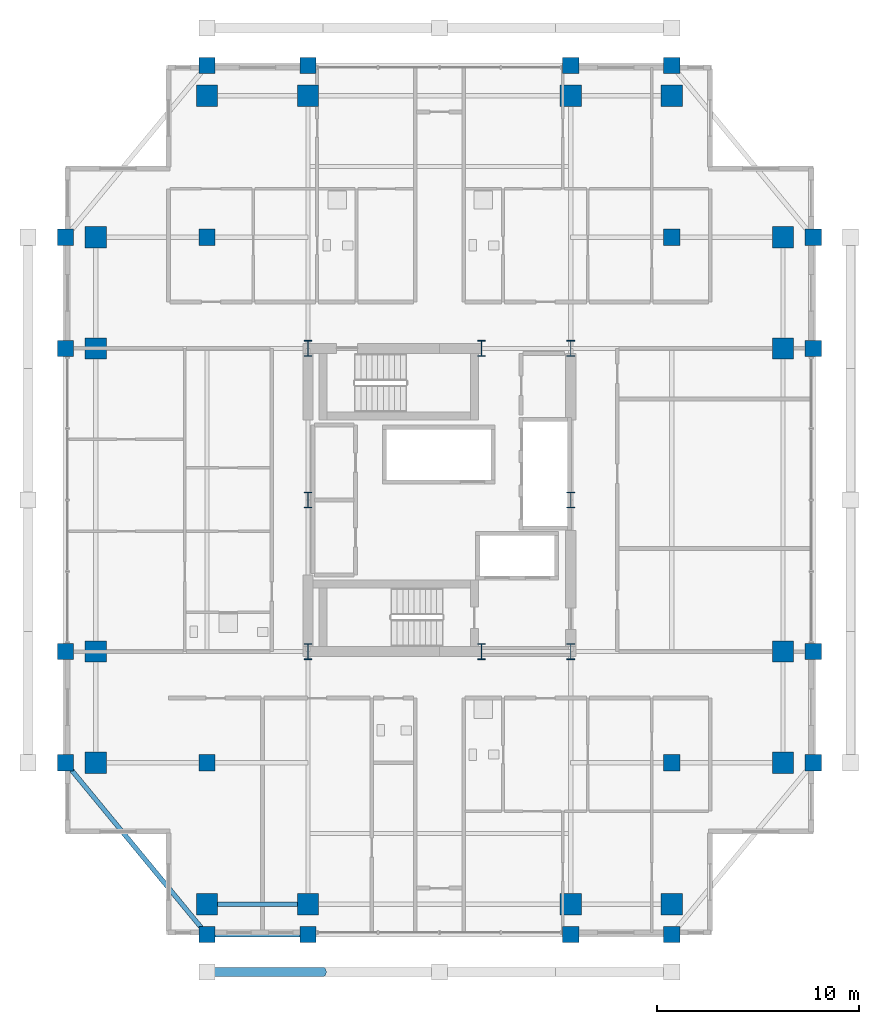
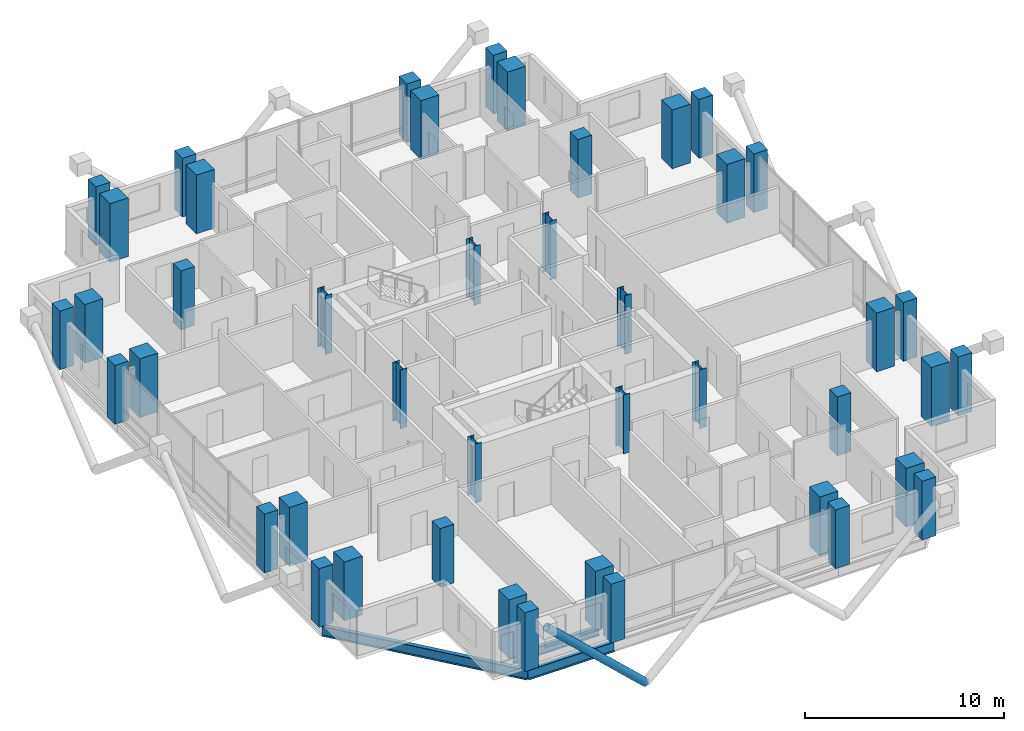
# One storey, part 1 of 24: 44 columns, 3 beams, 1 member.
"""IFC4 building model written with IfcOpenShell, lengths in metres."""

from ifc_helpers import new_model, si_unit, direction, frame, origin, origin_2d, place, context, subcontext, project, spatial, rectangle, hollow_circle, i_section, extrude, material, material_profile, profile_set, type_object, element, save


model = new_model("IFC4")

# Units and contexts
model_context = context("Model", 3, precision=1e-05, world=origin(), true_north=direction((0.0, 1.0)))
body_context = subcontext(model_context, "Body", "Model", "MODEL_VIEW")
ifc_project = project(units=[si_unit("LENGTHUNIT", "METRE"), si_unit("AREAUNIT", "SQUARE_METRE"), si_unit("VOLUMEUNIT", "CUBIC_METRE"), si_unit("PLANEANGLEUNIT", "RADIAN"), si_unit("MASSUNIT", "GRAM", prefix="KILO")], contexts=[model_context])

# Site, building, storey
site_placement = place(None, origin())
site = spatial("IfcSite", under=ifc_project, at=site_placement, CompositionType="ELEMENT")
building_placement = place(site_placement, origin())
building = spatial("IfcBuilding", under=site, at=building_placement, Name="Barlavira Tower and Art Museum", CompositionType="ELEMENT")
storey_placement = place(building_placement, frame((0.0, 0.0, 183.60009765625)))
storey = spatial("IfcBuildingStorey", under=building, at=storey_placement, Name="L47", CompositionType="ELEMENT", Elevation=183.60009765625)

# Columns
ifc_material_1 = material(Name="Steel S355", Category="steel")
ifc_material_profile_1 = material_profile(ifc_material_1, i_section(OverallWidth=0.382080078125, OverallDepth=0.785888671875, WebThickness=0.02001953125, FlangeThickness=0.032958984375, at=origin_2d()), Name="W760x314.0")
ifc_profile_set_1 = profile_set([ifc_material_profile_1], Name="Steel S355")
column_type_1 = type_object("IfcColumnType", Name="Core Composite Column W760x314 Steel S355", PredefinedType="COLUMN", material=ifc_profile_set_1)
for number, where, z_axis, x_axis, name in (
    (1, (-6.5, -7.5, 0.0), (0.0, 0.0, 1.0), (1.0, 0.0, 0.0), "L47 Column CC-L47-C1"),
    (2, (2.080078125, -7.5, 0.0), (0.0, 0.0, 1.0), (1.0, 0.0, 0.0), "L47 Column CC-L47-C2"),
    (3, (6.5, -7.5, 0.0), (0.0, 0.0, 1.0), (1.0, 0.0, 0.0), "L47 Column CC-L47-C3"),
    (4, (-6.5, 0.0, 0.0), (0.0, 0.0, 1.0), (1.0, 0.0, 0.0), "L47 Column CC-L47-C4"),
    (5, (6.5, 0.0, 0.0), (0.0, 0.0, 1.0), (1.0, 0.0, 0.0), "L47 Column CC-L47-C5"),
    (6, (-6.5, 7.5, 0.0), (0.0, 0.0, 1.0), (1.0, 0.0, 0.0), "L47 Column CC-L47-C6"),
    (7, (2.080078125, 7.5, 0.0), (0.0, 0.0, 1.0), (1.0, 0.0, 0.0), "L47 Column CC-L47-C7"),
    (8, (6.5, 7.5, 0.0), (0.0, 0.0, 1.0), (1.0, 0.0, 0.0), "L47 Column CC-L47-C8"),
):
    element("IfcColumn", number, at=place(storey_placement, frame(where, z_axis=z_axis, x_axis=x_axis)), inside=storey, type_object=column_type_1, Name=name, PredefinedType="COLUMN", context=body_context, shape_type="SweptSolid", body=[
        extrude(i_section(OverallWidth=0.382080078125, OverallDepth=0.785888671875, WebThickness=0.02001953125, FlangeThickness=0.032958984375, at=origin_2d()), origin(), (0.0, 0.0, 1.0), 3.599853515625),
    ])
ifc_material_2 = material(Name="Concrete C55", Category="concrete")
ifc_material_profile_2 = material_profile(ifc_material_2, rectangle(XDim=1.050048828125, YDim=1.050048828125, at=origin_2d()), Name="RC-COL 1050x1050")
ifc_profile_set_2 = profile_set([ifc_material_profile_2], Name="Concrete C55")
column_type_2 = type_object("IfcColumnType", Name="Perimeter Mega Column 1050x1050 Concrete C55", PredefinedType="USERDEFINED", material=ifc_profile_set_2)
for number, where, z_axis, x_axis, name in (
    (9, (-11.5, -20.0, 0.0), (0.0, 0.0, 1.0), (1.0, 0.0, 0.0), "L47 Column MC-L47-M01"),
    (10, (-6.5, -20.0, 0.0), (0.0, 0.0, 1.0), (1.0, 0.0, 0.0), "L47 Column MC-L47-M02"),
    (11, (6.5, -20.0, 0.0), (0.0, 0.0, 1.0), (1.0, 0.0, 0.0), "L47 Column MC-L47-M03"),
    (12, (11.5, -20.0, 0.0), (0.0, 0.0, 1.0), (1.0, 0.0, 0.0), "L47 Column MC-L47-M04"),
    (13, (17.0, -13.0, 0.0), (0.0, 0.0, 1.0), (1.0, 0.0, 0.0), "L47 Column MC-L47-M05"),
    (14, (17.0, -7.5, 0.0), (0.0, 0.0, 1.0), (1.0, 0.0, 0.0), "L47 Column MC-L47-M06"),
    (15, (17.0, 7.5, 0.0), (0.0, 0.0, 1.0), (1.0, 0.0, 0.0), "L47 Column MC-L47-M07"),
    (16, (17.0, 13.0, 0.0), (0.0, 0.0, 1.0), (1.0, 0.0, 0.0), "L47 Column MC-L47-M08"),
    (17, (11.5, 20.0, 0.0), (0.0, 0.0, 1.0), (1.0, 0.0, 0.0), "L47 Column MC-L47-M09"),
    (18, (6.5, 20.0, 0.0), (0.0, 0.0, 1.0), (1.0, 0.0, 0.0), "L47 Column MC-L47-M10"),
    (19, (-6.5, 20.0, 0.0), (0.0, 0.0, 1.0), (1.0, 0.0, 0.0), "L47 Column MC-L47-M11"),
    (20, (-11.5, 20.0, 0.0), (0.0, 0.0, 1.0), (1.0, 0.0, 0.0), "L47 Column MC-L47-M12"),
    (21, (-17.0, 13.0, 0.0), (0.0, 0.0, 1.0), (1.0, 0.0, 0.0), "L47 Column MC-L47-M13"),
    (22, (-17.0, 7.5, 0.0), (0.0, 0.0, 1.0), (1.0, 0.0, 0.0), "L47 Column MC-L47-M14"),
    (23, (-17.0, -7.5, 0.0), (0.0, 0.0, 1.0), (1.0, 0.0, 0.0), "L47 Column MC-L47-M15"),
    (24, (-17.0, -13.0, 0.0), (0.0, 0.0, 1.0), (1.0, 0.0, 0.0), "L47 Column MC-L47-M16"),
):
    element("IfcColumn", number, at=place(storey_placement, frame(where, z_axis=z_axis, x_axis=x_axis)), inside=storey, type_object=column_type_2, Name=name, ObjectType="MEGA COLUMN", PredefinedType="USERDEFINED", context=body_context, shape_type="SweptSolid", body=[
        extrude(rectangle(XDim=1.050048828125, YDim=1.050048828125, at=origin_2d()), origin(), (0.0, 0.0, 1.0), 3.599853515625),
    ])
ifc_material_3 = material(Name="Concrete C50", Category="concrete")
ifc_material_profile_3 = material_profile(ifc_material_3, rectangle(XDim=0.800048828125, YDim=0.800048828125, at=origin_2d()), Name="RC-COL 800x800")
ifc_profile_set_3 = profile_set([ifc_material_profile_3], Name="Concrete C50")
column_type_3 = type_object("IfcColumnType", Name="Podium Frame Column 800x800 Concrete C50", PredefinedType="COLUMN", material=ifc_profile_set_3)
for number, where, z_axis, x_axis, name in (
    (25, (-11.5, -13.0, 0.0), (0.0, 0.0, 1.0), (1.0, 0.0, 0.0), "L47 Column CI-L47-I1"),
    (26, (11.5, -13.0, 0.0), (0.0, 0.0, 1.0), (1.0, 0.0, 0.0), "L47 Column CI-L47-I2"),
    (27, (-11.5, 13.0, 0.0), (0.0, 0.0, 1.0), (1.0, 0.0, 0.0), "L47 Column CI-L47-I3"),
    (28, (11.5, 13.0, 0.0), (0.0, 0.0, 1.0), (1.0, 0.0, 0.0), "L47 Column CI-L47-I4"),
    (29, (-11.5, -21.5, 0.0), (0.0, 0.0, 1.0), (1.0, 0.0, 0.0), "L47 Column CZ3-L47-N01"),
    (30, (-6.5, -21.5, 0.0), (0.0, 0.0, 1.0), (1.0, 0.0, 0.0), "L47 Column CZ3-L47-N02"),
    (31, (6.5, -21.5, 0.0), (0.0, 0.0, 1.0), (1.0, 0.0, 0.0), "L47 Column CZ3-L47-N02B"),
    (32, (11.5, -21.5, 0.0), (0.0, 0.0, 1.0), (1.0, 0.0, 0.0), "L47 Column CZ3-L47-N03"),
    (33, (-18.5, -13.0, 0.0), (0.0, 0.0, 1.0), (1.0, 0.0, 0.0), "L47 Column CZ3-L47-N04"),
    (34, (-18.5, -7.5, 0.0), (0.0, 0.0, 1.0), (1.0, 0.0, 0.0), "L47 Column CZ3-L47-N05"),
    (35, (-18.5, 7.5, 0.0), (0.0, 0.0, 1.0), (1.0, 0.0, 0.0), "L47 Column CZ3-L47-N05B"),
    (36, (-18.5, 13.0, 0.0), (0.0, 0.0, 1.0), (1.0, 0.0, 0.0), "L47 Column CZ3-L47-N06"),
    (37, (-11.5, 21.5, 0.0), (0.0, 0.0, 1.0), (1.0, 0.0, 0.0), "L47 Column CZ3-L47-N07"),
    (38, (-6.5, 21.5, 0.0), (0.0, 0.0, 1.0), (1.0, 0.0, 0.0), "L47 Column CZ3-L47-N08"),
    (39, (6.5, 21.5, 0.0), (0.0, 0.0, 1.0), (1.0, 0.0, 0.0), "L47 Column CZ3-L47-N08B"),
    (40, (11.5, 21.5, 0.0), (0.0, 0.0, 1.0), (1.0, 0.0, 0.0), "L47 Column CZ3-L47-N09"),
    (41, (18.5, -13.0, 0.0), (0.0, 0.0, 1.0), (1.0, 0.0, 0.0), "L47 Column CZ3-L47-N10"),
    (42, (18.5, -7.5, 0.0), (0.0, 0.0, 1.0), (1.0, 0.0, 0.0), "L47 Column CZ3-L47-N11"),
    (43, (18.5, 7.5, 0.0), (0.0, 0.0, 1.0), (1.0, 0.0, 0.0), "L47 Column CZ3-L47-N11B"),
    (44, (18.5, 13.0, 0.0), (0.0, 0.0, 1.0), (1.0, 0.0, 0.0), "L47 Column CZ3-L47-N12"),
):
    element("IfcColumn", number, at=place(storey_placement, frame(where, z_axis=z_axis, x_axis=x_axis)), inside=storey, type_object=column_type_3, Name=name, PredefinedType="COLUMN", context=body_context, shape_type="SweptSolid", body=[
        extrude(rectangle(XDim=0.800048828125, YDim=0.800048828125, at=origin_2d()), origin(), (0.0, 0.0, 1.0), 3.599853515625),
    ])

# Member
ifc_material_profile_4 = material_profile(ifc_material_1, hollow_circle(Radius=0.228515625, WallThickness=0.02001953125, at=origin_2d()), Name="CHS 457.0x20.0")
ifc_profile_set_4 = profile_set([ifc_material_profile_4], Name="Steel S355")
member_type = type_object("IfcMemberType", Name="Pale-Metal Exoskeleton Diagrid Tube CHS 457x20 Steel S355", PredefinedType="BRACE", material=ifc_profile_set_4)
member_placement = place(storey_placement, frame((-5.75, -23.35009765625, -1.920166015625), z_axis=(-0.728934650808, 0.0, 0.684583285548), x_axis=(0.0, -1.0, 0.0)))
element("IfcMember", 45, at=member_placement, inside=storey, type_object=member_type, Name="L47 Exoskeleton Diagrid Tube S", PredefinedType="BRACE", context=body_context, shape_type="SweptSolid", body=[
    extrude(hollow_circle(Radius=0.228515625, WallThickness=0.02001953125, at=origin_2d()), origin(), (0.0, 0.0, 1.0), 7.88818359375),
])

# Beams
ifc_material_profile_5 = material_profile(ifc_material_1, i_section(OverallWidth=0.22998046875, OverallDepth=0.616943359375, WebThickness=0.01318359375, FlangeThickness=0.022216796875, at=origin_2d()), Name="W610x140.0")
ifc_profile_set_5 = profile_set([ifc_material_profile_5], Name="Steel S355")
beam_type_1 = type_object("IfcBeamType", Name="Upper Shaft Spandrel Edge Beam W610x140 Steel S355", PredefinedType="SPANDREL", material=ifc_profile_set_5)
beam_1_placement = place(storey_placement, frame((-11.5, -21.5, -0.528564453125), z_axis=(1.0, 0.0, 0.0), x_axis=(0.0, 1.0, 0.0)))
element("IfcBeam", 46, at=beam_1_placement, inside=storey, type_object=beam_type_1, Name="L47 Spandrel 1", PredefinedType="SPANDREL", context=body_context, shape_type="SweptSolid", body=[
    extrude(i_section(OverallWidth=0.22998046875, OverallDepth=0.616943359375, WebThickness=0.01318359375, FlangeThickness=0.022216796875, at=origin_2d()), origin(), (0.0, 0.0, 1.0), 5.0),
])
beam_2_placement = place(storey_placement, frame((-18.5, -13.0, -0.528564453125), z_axis=(0.635707252861, -0.771930235617, 0.0), x_axis=(0.771930235617, 0.635707252861, 0.0)))
element("IfcBeam", 47, at=beam_2_placement, inside=storey, type_object=beam_type_1, Name="L47 Spandrel 16", PredefinedType="SPANDREL", context=body_context, shape_type="SweptSolid", body=[
    extrude(i_section(OverallWidth=0.22998046875, OverallDepth=0.616943359375, WebThickness=0.01318359375, FlangeThickness=0.022216796875, at=origin_2d()), origin(), (0.0, 0.0, 1.0), 11.011474609375),
])
ifc_material_profile_6 = material_profile(ifc_material_1, i_section(OverallWidth=0.2109375, OverallDepth=0.5390625, WebThickness=0.01171875, FlangeThickness=0.018798828125, at=origin_2d()), Name="W530x109.0")
ifc_profile_set_6 = profile_set([ifc_material_profile_6], Name="Steel S355")
beam_type_2 = type_object("IfcBeamType", Name="Zone 3-4 Primary Floor Girder W530x109 Steel S355", PredefinedType="BEAM", material=ifc_profile_set_6)
beam_3_placement = place(storey_placement, frame((-11.5, -20.0, -0.489501953125), z_axis=(1.0, 0.0, 0.0), x_axis=(0.0, 1.0, 0.0)))
element("IfcBeam", 48, at=beam_3_placement, inside=storey, type_object=beam_type_2, Name="L47 Girder M-S1", PredefinedType="BEAM", context=body_context, shape_type="SweptSolid", body=[
    extrude(i_section(OverallWidth=0.2109375, OverallDepth=0.5390625, WebThickness=0.01171875, FlangeThickness=0.018798828125, at=origin_2d()), origin(), (0.0, 0.0, 1.0), 5.0),
])

save(model, "model.ifc")
